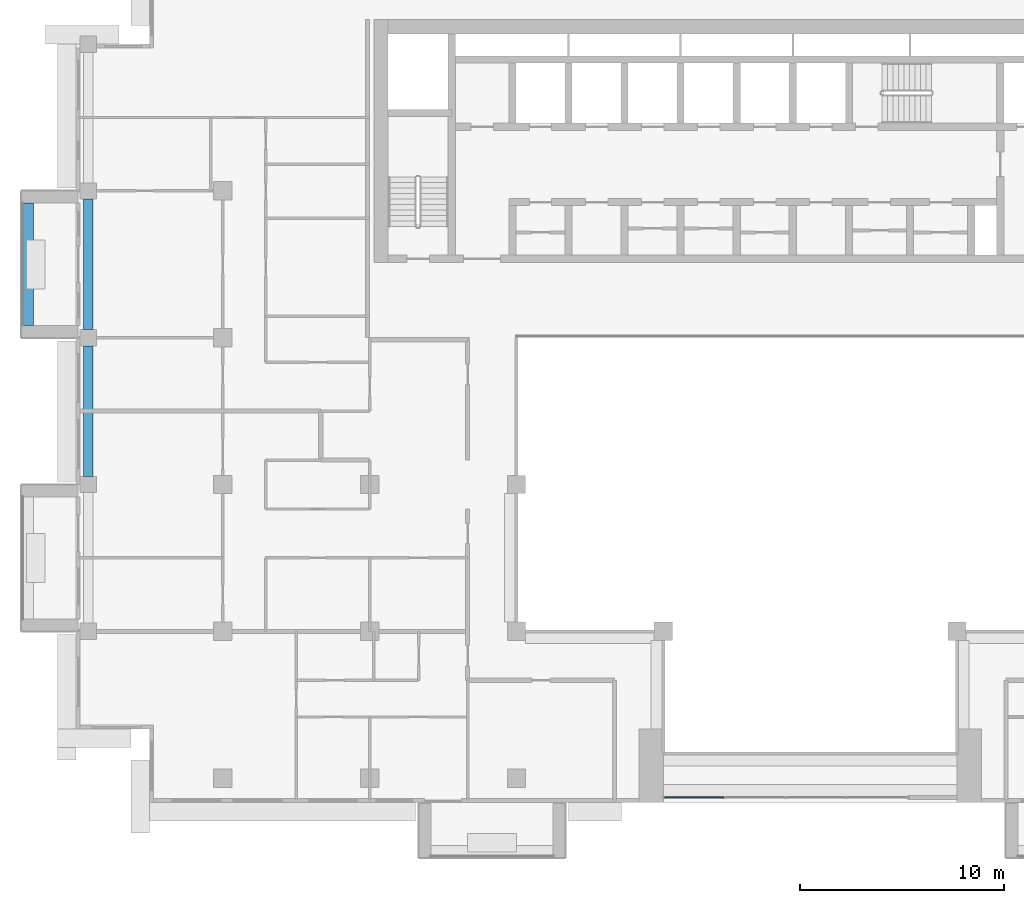
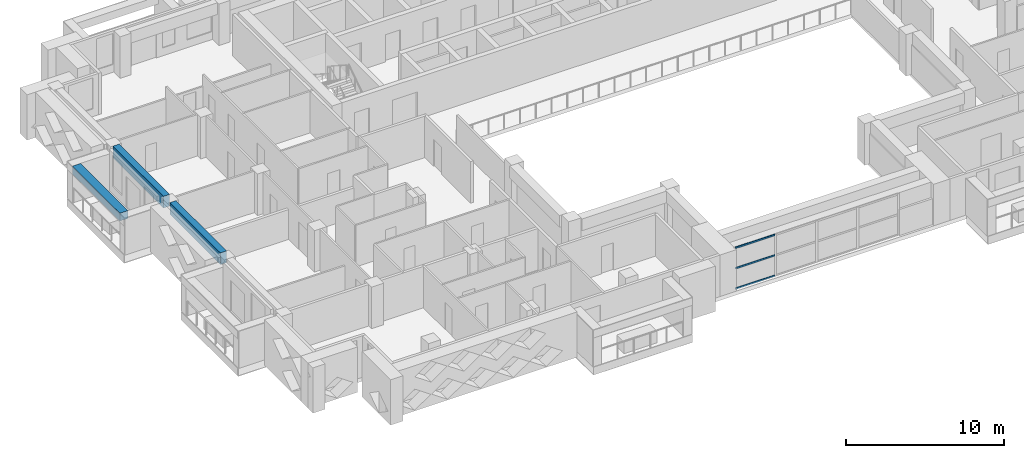
# One storey, part 3 of 20: 3 beams, 3 members, 1 element without a shape of its own.
"""IFC4 building model written with IfcOpenShell, lengths in metres."""

from ifc_helpers import new_model, si_unit, direction, frame, origin, origin_2d, place, context, subcontext, project, spatial, rectangle, extrude, source, transform, mapped, material, layer, layer_set, material_profile, profile_set, type_object, element, aggregate, save


model = new_model("IFC4")

# Units and contexts
model_context = context("Model", 3, precision=1e-05, world=origin(), true_north=direction((0.0, 1.0)))
body_context = subcontext(model_context, "Body", "Model", "MODEL_VIEW")
ifc_project = project(units=[si_unit("LENGTHUNIT", "METRE"), si_unit("AREAUNIT", "SQUARE_METRE"), si_unit("VOLUMEUNIT", "CUBIC_METRE"), si_unit("PLANEANGLEUNIT", "RADIAN"), si_unit("MASSUNIT", "GRAM", prefix="KILO")], contexts=[model_context])

# Site, building, storey
site_placement = place(None, origin())
site = spatial("IfcSite", under=ifc_project, at=site_placement, CompositionType="ELEMENT")
building_placement = place(site_placement, origin())
building = spatial("IfcBuilding", under=site, at=building_placement, Name="Saffron Iwan Residences", CompositionType="ELEMENT")
storey_placement = place(building_placement, frame((0.0, 0.0, 174.5)))
storey = spatial("IfcBuildingStorey", under=building, at=storey_placement, Name="L46", CompositionType="ELEMENT", Elevation=174.5)

# Beams
ifc_material_1 = material(Name="Concrete C50/60", Category="concrete")
ifc_material_profile_1 = material_profile(ifc_material_1, rectangle(XDim=0.449951171875, YDim=0.89990234375, at=origin_2d()), Name="RC 450x900")
ifc_profile_set_1 = profile_set([ifc_material_profile_1], Name="Concrete C50/60")
beam_type_1 = type_object("IfcBeamType", Name="SPANDREL BEAM RC 450x900 C50/60 TOP 3200", PredefinedType="SPANDREL", material=ifc_profile_set_1)
shared_shape_1 = source(origin(), body_context, "Body", "SweptSolid", [
    extrude(rectangle(XDim=0.449951171875, YDim=0.89990234375, at=origin_2d()), origin(), (0.0, 0.0, 1.0), 6.39990234375),
])
for number, where, z_axis, x_axis, name in (
    (1, (15.0, 55.60009765625, 2.75), (0.0, 1.0, 0.0), (-1.0, 0.0, 0.0), "Spandrel beam"),
    (2, (15.0, 62.800048828125, 2.75), (0.0, 1.0, 0.0), (-1.0, 0.0, 0.0), "Spandrel beam"),
):
    element("IfcBeam", number, at=place(storey_placement, frame(where, z_axis=z_axis, x_axis=x_axis)), inside=storey, type_object=beam_type_1, Name=name, PredefinedType="SPANDREL", context=body_context, shape_type="MappedRepresentation", body=[
        mapped(shared_shape_1, transform((0.0, 0.0, 0.0))),
    ])

# Curtain wall, members
ifc_material_2 = material(Name="Clear glass, laminated double glazed", Category="glass")
ifc_layer = layer(ifc_material_2, 0.199951171875)
ifc_layer_set = layer_set([ifc_layer], Name="Clear glass, laminated double glazed")
curtain_wall_type = type_object("IfcCurtainWallType", Name="CW-B IWAN PORTAL", PredefinedType="NOTDEFINED", material=ifc_layer_set)
curtain_wall_placement = place(storey_placement, origin())
curtain_wall = element("IfcCurtainWall", 3, at=curtain_wall_placement, inside=storey, type_object=curtain_wall_type, Name="Iwan portal glazing L46.1", PredefinedType="NOTDEFINED")
ifc_material_3 = material(Name="Aluminium 6063-T6", Category="aluminium")
ifc_material_profile_2 = material_profile(ifc_material_3, rectangle(XDim=0.06005859375, YDim=0.1201171875, at=origin_2d()), Name="CW-B TRANSOM 60 x 120")
ifc_profile_set_2 = profile_set([ifc_material_profile_2], Name="Aluminium 6063-T6")
member_type = type_object("IfcMemberType", Name="CW-B TRANSOM 60 x 120", PredefinedType="USERDEFINED", material=ifc_profile_set_2)
shared_shape_2 = source(origin(), body_context, "Body", "SweptSolid", [
    extrude(rectangle(XDim=0.06005859375, YDim=0.1201171875, at=origin_2d()), origin(), (0.0, 0.0, 1.0), 2.909912109375),
])
member_1_placement = place(storey_placement, frame((43.260009765625, 39.85009765625, 0.030029296875), z_axis=(1.0, 0.0, 0.0), x_axis=(0.0, 1.0, 0.0)))
member_1 = element("IfcMember", 4, at=member_1_placement, type_object=member_type, Name="CW-B transom 1.1", ObjectType="TRANSOM", PredefinedType="USERDEFINED", context=body_context, shape_type="MappedRepresentation", body=[
    mapped(shared_shape_2, transform((0.0, 0.0, 0.0))),
])
member_2_placement = place(storey_placement, frame((43.260009765625, 39.85009765625, 1.60009765625), z_axis=(1.0, 0.0, 0.0), x_axis=(0.0, 1.0, 0.0)))
member_2 = element("IfcMember", 5, at=member_2_placement, type_object=member_type, Name="CW-B transom 1.2", ObjectType="TRANSOM", PredefinedType="USERDEFINED", context=body_context, shape_type="MappedRepresentation", body=[
    mapped(shared_shape_2, transform((0.0, 0.0, 0.0))),
])
member_3_placement = place(storey_placement, frame((43.260009765625, 39.85009765625, 3.169921875), z_axis=(1.0, 0.0, 0.0), x_axis=(0.0, 1.0, 0.0)))
member_3 = element("IfcMember", 6, at=member_3_placement, type_object=member_type, Name="CW-B transom 1.3", ObjectType="TRANSOM", PredefinedType="USERDEFINED", context=body_context, shape_type="MappedRepresentation", body=[
    mapped(shared_shape_2, transform((0.0, 0.0, 0.0))),
])
aggregate(curtain_wall, [member_1, member_2, member_3])

# Beam
ifc_material_4 = material(Name="Concrete C50/60 white painted", Category="concrete")
ifc_material_profile_3 = material_profile(ifc_material_4, rectangle(XDim=0.60009765625, YDim=0.60009765625, at=origin_2d()), Name="BALCONY FASCIA BEAM 600 x 600")
ifc_profile_set_3 = profile_set([ifc_material_profile_3], Name="Concrete C50/60 white painted")
beam_type_2 = type_object("IfcBeamType", Name="BALCONY FASCIA BEAM 600 x 600", PredefinedType="BEAM", material=ifc_profile_set_3)
shared_shape_3 = source(origin(), body_context, "Body", "SweptSolid", [
    extrude(rectangle(XDim=0.60009765625, YDim=0.60009765625, at=origin_2d()), origin(), (0.0, 0.0, 1.0), 6.0),
])
beam_placement = place(storey_placement, frame((12.0, 69.0, 2.550048828125), z_axis=(0.0, -1.0, 0.0), x_axis=(1.0, 0.0, 0.0)))
element("IfcBeam", 7, at=beam_placement, inside=storey, type_object=beam_type_2, Name="Balcony fascia beam L46 F8-0", PredefinedType="BEAM", context=body_context, shape_type="MappedRepresentation", body=[
    mapped(shared_shape_3, transform((0.0, 0.0, 0.0))),
])

save(model, "model.ifc")
